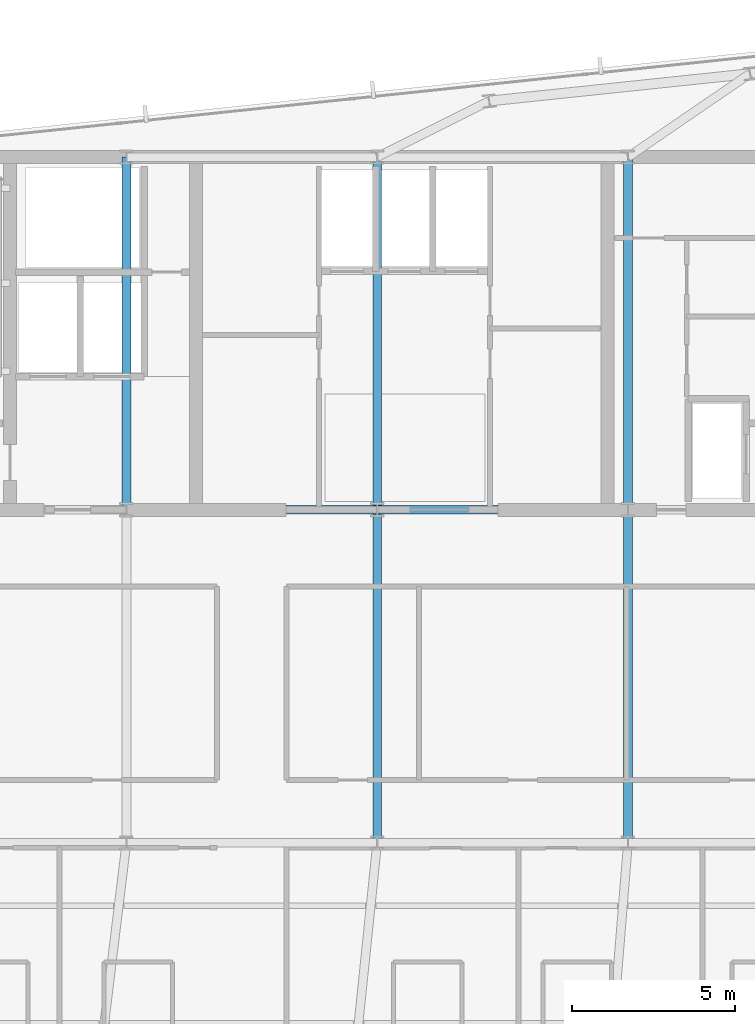
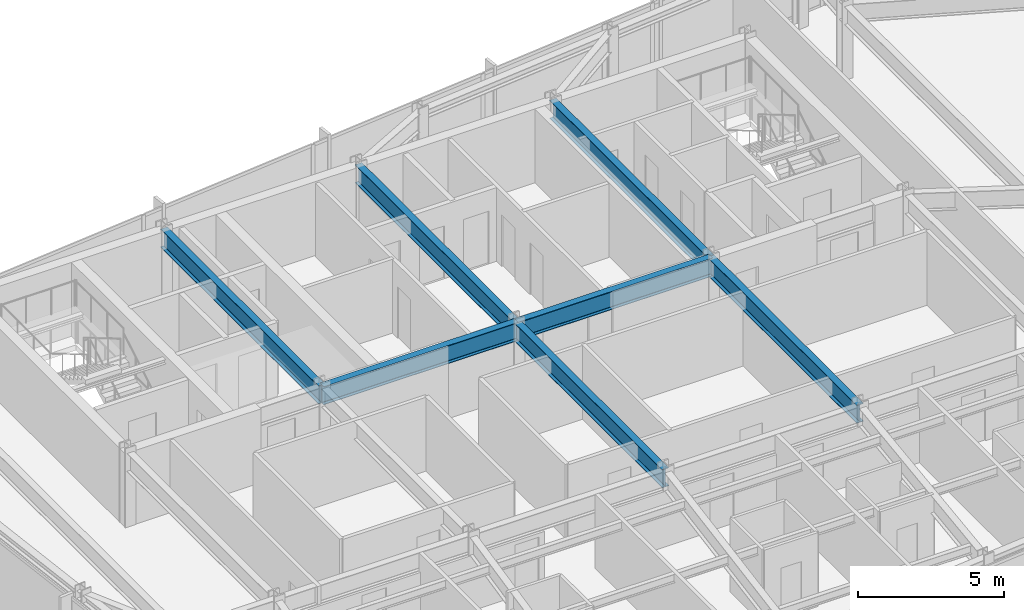
# One storey, part 13 of 33: 7 beams.
"""IFC4 building model written with IfcOpenShell, lengths in metres."""

import ifcopenshell
import ifcopenshell.guid

model = None  # the IFC model being written
_history = None  # IfcOwnerHistory: only IFC2X3 demands one
_inside = {}  # id of a spatial element -> (the spatial element, [elements in it])
_under = {}  # id of a project, library or spatial element -> (it, [spatial elements below it])
_declared = {}  # id of a project -> (the project, [libraries it declares])
_typed = {}  # id of a type object -> (the type object, [elements of that type])
_made_of = {}  # id of a material, layer set ... -> (it, [elements and type objects made of it])


def new_model(schema):
    """Start an empty IFC model of exactly this schema.

    Asked for "IFC4X3", IfcOpenShell would pick the latest addendum, in which some entities
    have other attributes; the version numbers below select the first issue.
    IFC2X3 requires an IfcOwnerHistory on every rooted entity: one is made here for all.
    """
    global model, _history
    if schema == "IFC4X3":
        model = ifcopenshell.file(schema_version=(4, 3, 0, 0))
    else:
        model = ifcopenshell.file(schema=schema)
    _inside.clear()
    _under.clear()
    _declared.clear()
    _typed.clear()
    _made_of.clear()
    _history = None
    if model.schema == "IFC2X3":
        org = make("IfcOrganization", Name="unknown")
        user = make(
            "IfcPersonAndOrganization",
            ThePerson=make("IfcPerson", FamilyName="unknown"),
            TheOrganization=org,
        )
        app = make(
            "IfcApplication",
            ApplicationDeveloper=org,
            Version="unknown",
            ApplicationFullName="unknown",
            ApplicationIdentifier="unknown",
        )
        _history = make(
            "IfcOwnerHistory",
            OwningUser=user,
            OwningApplication=app,
            ChangeAction="ADDED",
            CreationDate=0,
        )
    return model


def make(cls, **values):
    """One entity of the class cls with the attributes given. An attribute that is None is left unset."""
    return model.create_entity(
        cls, **{name: value for name, value in values.items() if value is not None}
    )


def rooted(cls, **values):
    """An entity with a GlobalId (a new one), such as an element, a storey or a relation."""
    return make(cls, GlobalId=ifcopenshell.guid.new(), OwnerHistory=_history, **values)


def si_unit(unit_type, name, prefix=None):
    """IfcSIUnit, for example si_unit("LENGTHUNIT", "METRE", prefix="MILLI")."""
    return make("IfcSIUnit", UnitType=unit_type, Prefix=prefix, Name=name)


def assignment(units):
    """IfcUnitAssignment: the units of a project."""
    return None if units is None else make("IfcUnitAssignment", Units=units)


def point(xyz):
    """IfcCartesianPoint."""
    return None if xyz is None else make("IfcCartesianPoint", Coordinates=xyz)


def direction(xyz):
    """IfcDirection."""
    return None if xyz is None else make("IfcDirection", DirectionRatios=xyz)


def frame(location, z_axis=None, x_axis=None):
    """IfcAxis2Placement3D, a coordinate frame: its origin and axes. An axis left out is left unset."""
    return make(
        "IfcAxis2Placement3D",
        Location=point(location),
        Axis=direction(z_axis),
        RefDirection=direction(x_axis),
    )


def frame_2d(location, x_axis=None):
    """IfcAxis2Placement2D, a coordinate frame in the plane: its origin and x axis."""
    return make(
        "IfcAxis2Placement2D", Location=point(location), RefDirection=direction(x_axis)
    )


def origin():
    """The frame at (0, 0, 0) with its axes left unset."""
    return frame((0.0, 0.0, 0.0))


def origin_2d():
    """The frame at (0, 0) in the plane with its x axis left unset."""
    return frame_2d((0.0, 0.0))


def place(relative_to, where):
    """IfcLocalPlacement: puts the frame where relative to a parent placement (None: the world)."""
    return make(
        "IfcLocalPlacement", PlacementRelTo=relative_to, RelativePlacement=where
    )


def context(
    kind, dimensions, precision=None, world=None, true_north=None, identifier=None
):
    """IfcGeometricRepresentationContext, for example the 3D "Model" context."""
    return make(
        "IfcGeometricRepresentationContext",
        ContextIdentifier=identifier,
        ContextType=kind,
        CoordinateSpaceDimension=dimensions,
        Precision=precision,
        WorldCoordinateSystem=world,
        TrueNorth=true_north,
    )


def subcontext(parent, identifier, kind, view, scale=None):
    """IfcGeometricRepresentationSubContext, for example "Body" below "Model"."""
    return make(
        "IfcGeometricRepresentationSubContext",
        ContextIdentifier=identifier,
        ContextType=kind,
        ParentContext=parent,
        TargetScale=scale,
        TargetView=view,
    )


def project(units=None, contexts=None):
    """IfcProject with its units and contexts."""
    return rooted(
        "IfcProject",
        Name="project",
        RepresentationContexts=contexts,
        UnitsInContext=assignment(units),
    )


def spatial(cls, under=None, at=None, **own):
    """A site, building, storey or space (cls), placed at a placement, below another one or the project."""
    s = rooted(cls, ObjectPlacement=at, **own)
    if under is not None:
        _under.setdefault(under.id(), (under, []))[1].append(s)
    return s


def profile(cls, at=None, kind="AREA", **sizes):
    """A parametric profile (cls). Its sizes go by their IFC names, for example OverallWidth=200.0."""
    return make(cls, ProfileType=kind, Position=at, **sizes)


def i_section(**sizes):
    """IfcIShapeProfileDef."""
    return profile("IfcIShapeProfileDef", **sizes)


def extrude(swept, where, along, depth):
    """IfcExtrudedAreaSolid: the profile swept, set in the frame where, extruded along a direction by depth."""
    return make(
        "IfcExtrudedAreaSolid",
        SweptArea=swept,
        Position=where,
        ExtrudedDirection=direction(along),
        Depth=depth,
    )


def shape(context_of_items, identifier, shape_type, items):
    """IfcShapeRepresentation: the items that make up one representation, for example the "Body"."""
    return make(
        "IfcShapeRepresentation",
        ContextOfItems=context_of_items,
        RepresentationIdentifier=identifier,
        RepresentationType=shape_type,
        Items=items,
    )


def material(Name=None, Category=None):
    """IfcMaterial."""
    return make("IfcMaterial", Name=Name, Category=Category)


def material_profile(
    of_material, cross_section, Name=None, Category=None, Priority=None
):
    """IfcMaterialProfile: a cross section and its material."""
    return make(
        "IfcMaterialProfile",
        Name=Name,
        Material=of_material,
        Profile=cross_section,
        Priority=Priority,
        Category=Category,
    )


def profile_set(profiles, Name=None, composite=None):
    """IfcMaterialProfileSet."""
    return make(
        "IfcMaterialProfileSet",
        Name=Name,
        MaterialProfiles=profiles,
        CompositeProfile=composite,
    )


def made_of(thing, what):
    """Note that an element or type object is made of a material, layer set ...; save() writes the relation."""
    if what is not None:
        _made_of.setdefault(what.id(), (what, []))[1].append(thing)
    return thing


def type_object(cls, material=None, **own):
    """A type object (cls), such as IfcWallType, which elements share."""
    return made_of(rooted(cls, **own), material)


def element(
    cls,
    number,
    at=None,
    inside=None,
    cuts=None,
    type_object=None,
    material=None,
    context=None,
    identifier="Body",
    shape_type=None,
    held_by="IfcProductDefinitionShape",
    body=None,
    shapes=None,
    **own,
):
    """One element of the class cls, such as IfcWall. Its Tag is "e" and its number.

    at: its placement. inside: the storey or other place that contains it. cuts: it is an
    opening in that element (IfcRelVoidsElement). A single representation is given by context,
    identifier, shape_type and body (its items); several are given by shapes. held_by: the class
    of the entity that holds the representations. save() writes the other relations.
    """
    e = rooted(cls, Tag="e%d" % number, ObjectPlacement=at, **own)
    if body is not None:
        shapes = [shape(context, identifier, shape_type, body)]
    if shapes is not None:
        e.Representation = make(held_by, Representations=shapes)
    if inside is not None:
        _inside.setdefault(inside.id(), (inside, []))[1].append(e)
    if cuts is not None:
        rooted(
            "IfcRelVoidsElement", RelatingBuildingElement=cuts, RelatedOpeningElement=e
        )
    if type_object is not None:
        _typed.setdefault(type_object.id(), (type_object, []))[1].append(e)
    return made_of(e, material)


def aggregate(whole, parts):
    """IfcRelAggregates: a whole, such as a stair, and the parts it consists of."""
    return rooted("IfcRelAggregates", RelatingObject=whole, RelatedObjects=parts)


def save(model, path):
    """Write the relations noted so far, then the file.

    IfcRelAggregates (storeys below a building ...), IfcRelContainedInSpatialStructure (elements
    in a storey), IfcRelDefinesByType, IfcRelAssociatesMaterial and IfcRelDeclares: one each for
    every whole, place, type object, material and project.
    """
    for whole, parts in _under.values():
        aggregate(whole, parts)
    for where, things in _inside.values():
        rooted(
            "IfcRelContainedInSpatialStructure",
            RelatedElements=things,
            RelatingStructure=where,
        )
    for kind, things in _typed.values():
        rooted("IfcRelDefinesByType", RelatedObjects=things, RelatingType=kind)
    for what, things in _made_of.values():
        rooted("IfcRelAssociatesMaterial", RelatedObjects=things, RelatingMaterial=what)
    for by, libraries in _declared.values():
        rooted("IfcRelDeclares", RelatingContext=by, RelatedDefinitions=libraries)
    model.write(path)


model = new_model("IFC4")

# Units and contexts
model_context = context("Model", 3, precision=1e-05, world=origin(), true_north=direction((0.0, 1.0)))
body_context = subcontext(model_context, "Body", "Model", "MODEL_VIEW")
ifc_project = project(units=[si_unit("LENGTHUNIT", "METRE"), si_unit("AREAUNIT", "SQUARE_METRE"), si_unit("VOLUMEUNIT", "CUBIC_METRE"), si_unit("PLANEANGLEUNIT", "RADIAN"), si_unit("MASSUNIT", "GRAM", prefix="KILO")], contexts=[model_context])

# Site, building, storey
site_placement = place(None, origin())
site = spatial("IfcSite", under=ifc_project, at=site_placement, CompositionType="ELEMENT")
building_placement = place(site_placement, origin())
building = spatial("IfcBuilding", under=site, at=building_placement, Name="Yelkora Congress Tower", CompositionType="ELEMENT")
storey_placement = place(building_placement, frame((0.0, 0.0, 237.5)))
storey = spatial("IfcBuildingStorey", under=building, at=storey_placement, Name="L66", CompositionType="ELEMENT", Elevation=237.5)

# Beams
ifc_material = material(Name="Steel S355J2", Category="steel")
ifc_material_profile = material_profile(ifc_material, i_section(OverallWidth=0.26708984375, OverallDepth=0.761962890625, WebThickness=0.014404296875, FlangeThickness=0.021484375, FilletRadius=0.01708984375, at=origin_2d()), Name="IPE 750x173")
ifc_profile_set = profile_set([ifc_material_profile], Name="Steel S355J2")
beam_type = type_object("IfcBeamType", Name="BM-GIRD-IPE750", PredefinedType="BEAM", material=ifc_profile_set)
beam_1_placement = place(storey_placement, frame((30.719970703125, 35.39990234375, 2.698974609375), z_axis=(1.0, 0.0, 0.0), x_axis=(0.0, 1.0, 0.0)))
element("IfcBeam", 1, at=beam_1_placement, inside=storey, type_object=beam_type, Name="L66 Core South Girder 2", PredefinedType="BEAM", context=body_context, shape_type="SweptSolid", body=[
    extrude(i_section(OverallWidth=0.26708984375, OverallDepth=0.761962890625, WebThickness=0.014404296875, FlangeThickness=0.021484375, FilletRadius=0.01708984375, at=origin_2d()), origin(), (0.0, 0.0, 1.0), 7.679931640625),
])
beam_2_placement = place(storey_placement, frame((38.39990234375, 35.39990234375, 2.698974609375), z_axis=(1.0, 0.0, 0.0), x_axis=(0.0, 1.0, 0.0)))
element("IfcBeam", 2, at=beam_2_placement, inside=storey, type_object=beam_type, Name="L66 Core South Girder 3", PredefinedType="BEAM", context=body_context, shape_type="SweptSolid", body=[
    extrude(i_section(OverallWidth=0.26708984375, OverallDepth=0.761962890625, WebThickness=0.014404296875, FlangeThickness=0.021484375, FilletRadius=0.01708984375, at=origin_2d()), origin(), (0.0, 0.0, 1.0), 7.68017578125),
])
beam_3_placement = place(storey_placement, frame((30.719970703125, 35.39990234375, 2.698974609375), z_axis=(0.0, 1.0, 0.0), x_axis=(-1.0, 0.0, 0.0)))
element("IfcBeam", 3, at=beam_3_placement, inside=storey, type_object=beam_type, Name="L66 Core Tie Girder MC-S2", PredefinedType="BEAM", context=body_context, shape_type="SweptSolid", body=[
    extrude(i_section(OverallWidth=0.26708984375, OverallDepth=0.761962890625, WebThickness=0.014404296875, FlangeThickness=0.021484375, FilletRadius=0.01708984375, at=origin_2d()), origin(), (0.0, 0.0, 1.0), 10.800048828125),
])
beam_4_placement = place(storey_placement, frame((38.39990234375, 25.199951171875, 2.698974609375), z_axis=(0.0, 1.0, 0.0), x_axis=(-1.0, 0.0, 0.0)))
element("IfcBeam", 4, at=beam_4_placement, inside=storey, type_object=beam_type, Name="L66 Core Tie Girder MC-D3", PredefinedType="BEAM", context=body_context, shape_type="SweptSolid", body=[
    extrude(i_section(OverallWidth=0.26708984375, OverallDepth=0.761962890625, WebThickness=0.014404296875, FlangeThickness=0.021484375, FilletRadius=0.01708984375, at=origin_2d()), origin(), (0.0, 0.0, 1.0), 10.199951171875),
])
beam_5_placement = place(storey_placement, frame((38.39990234375, 35.39990234375, 2.698974609375), z_axis=(0.0, 1.0, 0.0), x_axis=(-1.0, 0.0, 0.0)))
element("IfcBeam", 5, at=beam_5_placement, inside=storey, type_object=beam_type, Name="L66 Core Tie Girder MC-S3", PredefinedType="BEAM", context=body_context, shape_type="SweptSolid", body=[
    extrude(i_section(OverallWidth=0.26708984375, OverallDepth=0.761962890625, WebThickness=0.014404296875, FlangeThickness=0.021484375, FilletRadius=0.01708984375, at=origin_2d()), origin(), (0.0, 0.0, 1.0), 10.800048828125),
])
beam_6_placement = place(storey_placement, frame((46.080078125, 25.199951171875, 2.698974609375), z_axis=(0.0, 1.0, 0.0), x_axis=(-1.0, 0.0, 0.0)))
element("IfcBeam", 6, at=beam_6_placement, inside=storey, type_object=beam_type, Name="L66 Core Tie Girder MC-D4", PredefinedType="BEAM", context=body_context, shape_type="SweptSolid", body=[
    extrude(i_section(OverallWidth=0.26708984375, OverallDepth=0.761962890625, WebThickness=0.014404296875, FlangeThickness=0.021484375, FilletRadius=0.01708984375, at=origin_2d()), origin(), (0.0, 0.0, 1.0), 10.199951171875),
])
beam_7_placement = place(storey_placement, frame((46.080078125, 35.39990234375, 2.698974609375), z_axis=(0.0, 1.0, 0.0), x_axis=(-1.0, 0.0, 0.0)))
element("IfcBeam", 7, at=beam_7_placement, inside=storey, type_object=beam_type, Name="L66 Core Tie Girder MC-S4", PredefinedType="BEAM", context=body_context, shape_type="SweptSolid", body=[
    extrude(i_section(OverallWidth=0.26708984375, OverallDepth=0.761962890625, WebThickness=0.014404296875, FlangeThickness=0.021484375, FilletRadius=0.01708984375, at=origin_2d()), origin(), (0.0, 0.0, 1.0), 10.800048828125),
])

save(model, "model.ifc")
